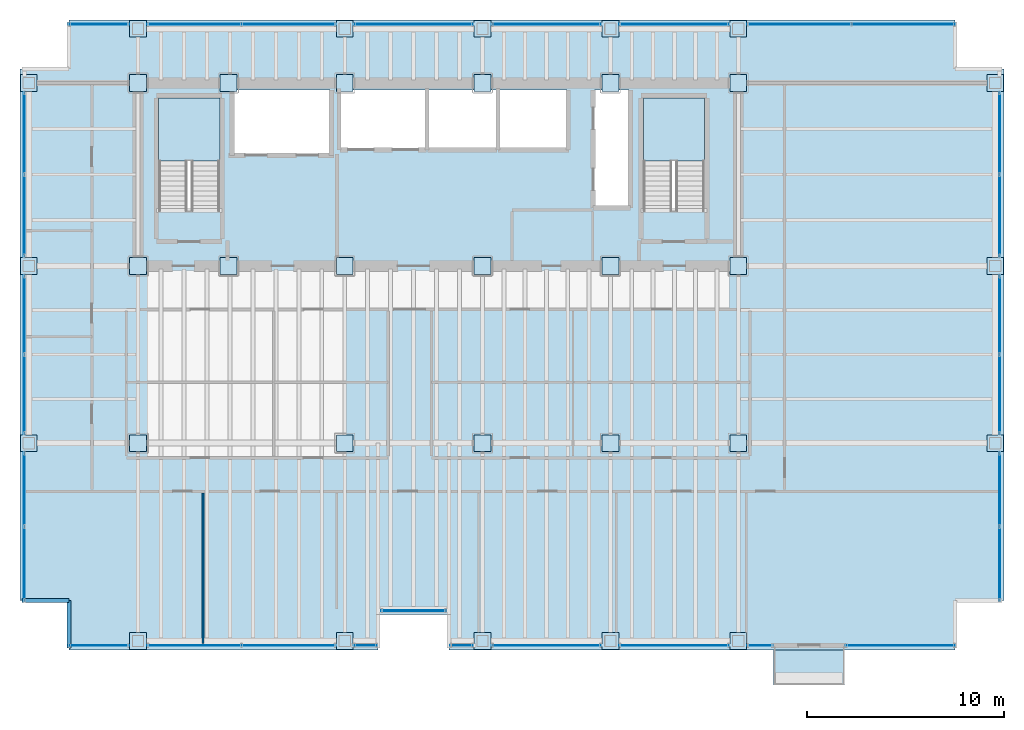
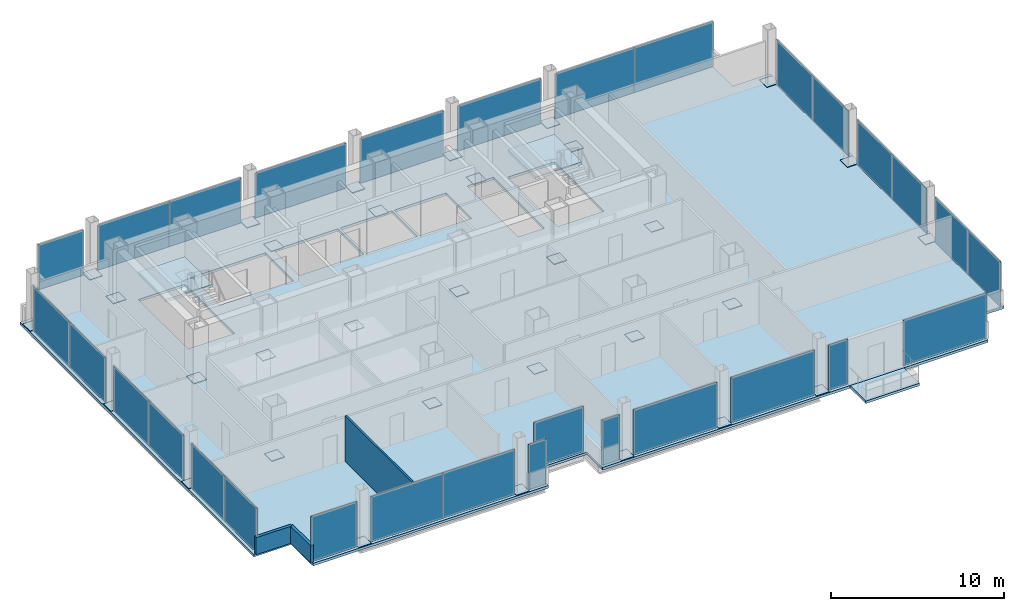
# One storey, part 17 of 22: 63 plates, 4 slabs, 3 walls, 7 openings, 23 elements without a shape of their own.
"""IFC4 building model written with IfcOpenShell, lengths in metres."""

from ifc_helpers import new_model, si_unit, direction, frame, frame_2d, origin, origin_2d, place, context, subcontext, project, spatial, polyline, rectangle, outline, extrude, material, layer, layer_set, type_object, element, aggregate, save


model = new_model("IFC4")

# Units and contexts
model_context = context("Model", 3, precision=1e-05, world=origin(), true_north=direction((0.0, 1.0)))
body_context = subcontext(model_context, "Body", "Model", "MODEL_VIEW")
ifc_project = project(units=[si_unit("LENGTHUNIT", "METRE"), si_unit("AREAUNIT", "SQUARE_METRE"), si_unit("VOLUMEUNIT", "CUBIC_METRE"), si_unit("PLANEANGLEUNIT", "RADIAN"), si_unit("MASSUNIT", "GRAM", prefix="KILO")], contexts=[model_context])

# Site, building, storey
site_placement = place(None, origin())
site = spatial("IfcSite", under=ifc_project, at=site_placement, CompositionType="ELEMENT")
building_placement = place(site_placement, origin())
building = spatial("IfcBuilding", under=site, at=building_placement, Name="Noeulbin Bourse Tower", CompositionType="ELEMENT")
storey_placement = place(building_placement, frame((0.0, 0.0, 88.89990234375)))
storey = spatial("IfcBuildingStorey", under=building, at=storey_placement, Name="L22", CompositionType="ELEMENT", Elevation=88.89990234375)

# Curtain wall, plate
ifc_material_1 = material(Name="Dark Solar-Control Double Glazing", Category="glass")
curtain_wall_type = type_object("IfcCurtainWallType", Name="CW-SYS-2", PredefinedType="NOTDEFINED", material=ifc_material_1)
curtain_wall_1_placement = place(storey_placement, origin())
curtain_wall_1 = element("IfcCurtainWall", 1, at=curtain_wall_1_placement, inside=storey, type_object=curtain_wall_type, Name="Unitised Curtain Wall CW-L22-SREC", PredefinedType="NOTDEFINED")
ifc_layer_1 = layer(ifc_material_1, 0.035888671875)
ifc_layer_set_1 = layer_set([ifc_layer_1], Name="Dark Solar-Control Double Glazing")
plate_type_1 = type_object("IfcPlateType", Name="CW-SYS-2-PNL", PredefinedType="CURTAIN_PANEL", material=ifc_layer_set_1)
plate_1_placement = place(storey_placement, frame((27.5, 11.47998046875, 0.0), z_axis=(0.0, 0.0, 1.0), x_axis=(1.0, 0.0, 0.0)))
plate_1 = element("IfcPlate", 2, at=plate_1_placement, type_object=plate_type_1, Name="Glazed Curtain Panel CW-L22-SREC-P00", PredefinedType="CURTAIN_PANEL", context=body_context, shape_type="SweptSolid", body=[
    extrude(rectangle(XDim=3.300048828125, YDim=0.035888671875, at=origin_2d()), origin(), (0.0, 0.0, 1.0), 3.179931640625),
])
aggregate(curtain_wall_1, [plate_1])

curtain_wall_2_placement = place(storey_placement, origin())
curtain_wall_2 = element("IfcCurtainWall", 3, at=curtain_wall_2_placement, inside=storey, type_object=curtain_wall_type, Name="Unitised Curtain Wall CW-L22-S1-S1", PredefinedType="NOTDEFINED")
plate_2_placement = place(storey_placement, frame((11.510009765625, 9.719970703125, 0.0), z_axis=(0.0, 0.0, 1.0), x_axis=(1.0, 0.0, 0.0)))
plate_2 = element("IfcPlate", 4, at=plate_2_placement, type_object=plate_type_1, Name="Glazed Curtain Panel CW-L22-S1-S1-P00", PredefinedType="CURTAIN_PANEL", context=body_context, shape_type="SweptSolid", body=[
    extrude(rectangle(XDim=3.06005859375, YDim=0.035888671875, at=origin_2d()), origin(), (0.0, 0.0, 1.0), 3.179931640625),
])
aggregate(curtain_wall_2, [plate_2])

# Curtain wall, plates
curtain_wall_3_placement = place(storey_placement, origin())
curtain_wall_3 = element("IfcCurtainWall", 5, at=curtain_wall_3_placement, inside=storey, type_object=curtain_wall_type, Name="Unitised Curtain Wall CW-L22-S1-S2", PredefinedType="NOTDEFINED")
plate_3_placement = place(storey_placement, frame((16.35498046875, 9.719970703125, 0.0), z_axis=(0.0, 0.0, 1.0), x_axis=(1.0, 0.0, 0.0)))
plate_3 = element("IfcPlate", 6, at=plate_3_placement, type_object=plate_type_1, Name="Glazed Curtain Panel CW-L22-S1-S2-P00", PredefinedType="CURTAIN_PANEL", context=body_context, shape_type="SweptSolid", body=[
    extrude(rectangle(XDim=4.7900390625, YDim=0.035888671875, at=origin_2d()), origin(), (0.0, 0.0, 1.0), 3.179931640625),
])
plate_4_placement = place(storey_placement, frame((21.14501953125, 9.719970703125, 0.0), z_axis=(0.0, 0.0, 1.0), x_axis=(1.0, 0.0, 0.0)))
plate_4 = element("IfcPlate", 7, at=plate_4_placement, type_object=plate_type_1, Name="Glazed Curtain Panel CW-L22-S1-S2-P01", PredefinedType="CURTAIN_PANEL", context=body_context, shape_type="SweptSolid", body=[
    extrude(rectangle(XDim=4.7900390625, YDim=0.035888671875, at=origin_2d()), origin(), (0.0, 0.0, 1.0), 3.179931640625),
])
aggregate(curtain_wall_3, [plate_3, plate_4])

# Curtain wall, plate
curtain_wall_4_placement = place(storey_placement, origin())
curtain_wall_4 = element("IfcCurtainWall", 8, at=curtain_wall_4_placement, inside=storey, type_object=curtain_wall_type, Name="Unitised Curtain Wall CW-L22-S1-S3", PredefinedType="NOTDEFINED")
plate_5_placement = place(storey_placement, frame((25.054931640625, 9.719970703125, 0.0), z_axis=(0.0, 0.0, 1.0), x_axis=(1.0, 0.0, 0.0)))
plate_5 = element("IfcPlate", 9, at=plate_5_placement, type_object=plate_type_1, Name="Glazed Curtain Panel CW-L22-S1-S3-P00", PredefinedType="CURTAIN_PANEL", context=body_context, shape_type="SweptSolid", body=[
    extrude(rectangle(XDim=1.18994140625, YDim=0.035888671875, at=origin_2d()), origin(), (0.0, 0.0, 1.0), 3.179931640625),
])
aggregate(curtain_wall_4, [plate_5])

curtain_wall_5_placement = place(storey_placement, origin())
curtain_wall_5 = element("IfcCurtainWall", 10, at=curtain_wall_5_placement, inside=storey, type_object=curtain_wall_type, Name="Unitised Curtain Wall CW-L22-S2-S1", PredefinedType="NOTDEFINED")
plate_6_placement = place(storey_placement, frame((29.945068359375, 9.719970703125, 0.0), z_axis=(0.0, 0.0, 1.0), x_axis=(1.0, 0.0, 0.0)))
plate_6 = element("IfcPlate", 11, at=plate_6_placement, type_object=plate_type_1, Name="Glazed Curtain Panel CW-L22-S2-S1-P00", PredefinedType="CURTAIN_PANEL", context=body_context, shape_type="SweptSolid", body=[
    extrude(rectangle(XDim=1.18994140625, YDim=0.035888671875, at=origin_2d()), origin(), (0.0, 0.0, 1.0), 3.179931640625),
])
aggregate(curtain_wall_5, [plate_6])

curtain_wall_6_placement = place(storey_placement, origin())
curtain_wall_6 = element("IfcCurtainWall", 12, at=curtain_wall_6_placement, inside=storey, type_object=curtain_wall_type, Name="Unitised Curtain Wall CW-L22-S2-S2", PredefinedType="NOTDEFINED")
plate_7_placement = place(storey_placement, frame((34.25, 9.719970703125, 0.0), z_axis=(0.0, 0.0, 1.0), x_axis=(1.0, 0.0, 0.0)))
plate_7 = element("IfcPlate", 13, at=plate_7_placement, type_object=plate_type_1, Name="Glazed Curtain Panel CW-L22-S2-S2-P00", PredefinedType="CURTAIN_PANEL", context=body_context, shape_type="SweptSolid", body=[
    extrude(rectangle(XDim=5.580078125, YDim=0.035888671875, at=origin_2d()), origin(), (0.0, 0.0, 1.0), 3.179931640625),
])
aggregate(curtain_wall_6, [plate_7])

curtain_wall_7_placement = place(storey_placement, origin())
curtain_wall_7 = element("IfcCurtainWall", 14, at=curtain_wall_7_placement, inside=storey, type_object=curtain_wall_type, Name="Unitised Curtain Wall CW-L22-S2-S3", PredefinedType="NOTDEFINED")
plate_8_placement = place(storey_placement, frame((40.75, 9.719970703125, 0.0), z_axis=(0.0, 0.0, 1.0), x_axis=(1.0, 0.0, 0.0)))
plate_8 = element("IfcPlate", 15, at=plate_8_placement, type_object=plate_type_1, Name="Glazed Curtain Panel CW-L22-S2-S3-P00", PredefinedType="CURTAIN_PANEL", context=body_context, shape_type="SweptSolid", body=[
    extrude(rectangle(XDim=5.580078125, YDim=0.035888671875, at=origin_2d()), origin(), (0.0, 0.0, 1.0), 3.179931640625),
])
aggregate(curtain_wall_7, [plate_8])

curtain_wall_8_placement = place(storey_placement, origin())
curtain_wall_8 = element("IfcCurtainWall", 16, at=curtain_wall_8_placement, inside=storey, type_object=curtain_wall_type, Name="Unitised Curtain Wall CW-L22-S2-S4", PredefinedType="NOTDEFINED")
plate_9_placement = place(storey_placement, frame((45.10498046875, 9.719970703125, 0.0), z_axis=(0.0, 0.0, 1.0), x_axis=(1.0, 0.0, 0.0)))
plate_9 = element("IfcPlate", 17, at=plate_9_placement, type_object=plate_type_1, Name="Glazed Curtain Panel CW-L22-S2-S4-P00", PredefinedType="CURTAIN_PANEL", context=body_context, shape_type="SweptSolid", body=[
    extrude(rectangle(XDim=1.2900390625, YDim=0.035888671875, at=origin_2d()), origin(), (0.0, 0.0, 1.0), 3.179931640625),
])
aggregate(curtain_wall_8, [plate_9])

curtain_wall_9_placement = place(storey_placement, origin())
curtain_wall_9 = element("IfcCurtainWall", 18, at=curtain_wall_9_placement, inside=storey, type_object=curtain_wall_type, Name="Unitised Curtain Wall CW-L22-S3", PredefinedType="NOTDEFINED")
plate_10_placement = place(storey_placement, frame((52.235107421875, 9.719970703125, 0.0), z_axis=(0.0, 0.0, 1.0), x_axis=(1.0, 0.0, 0.0)))
plate_10 = element("IfcPlate", 19, at=plate_10_placement, type_object=plate_type_1, Name="Glazed Curtain Panel CW-L22-S3-P00", PredefinedType="CURTAIN_PANEL", context=body_context, shape_type="SweptSolid", body=[
    extrude(rectangle(XDim=5.570068359375, YDim=0.035888671875, at=origin_2d()), origin(), (0.0, 0.0, 1.0), 3.179931640625),
])
aggregate(curtain_wall_9, [plate_10])

curtain_wall_10_placement = place(storey_placement, origin())
curtain_wall_10 = element("IfcCurtainWall", 20, at=curtain_wall_10_placement, inside=storey, type_object=curtain_wall_type, Name="Unitised Curtain Wall CW-L22-N-S1", PredefinedType="NOTDEFINED")
plate_11_placement = place(storey_placement, frame((11.510009765625, 41.280029296875, 0.0), z_axis=(0.0, 0.0, 1.0), x_axis=(1.0, 0.0, 0.0)))
plate_11 = element("IfcPlate", 21, at=plate_11_placement, type_object=plate_type_1, Name="Glazed Curtain Panel CW-L22-N-S1-P00", PredefinedType="CURTAIN_PANEL", context=body_context, shape_type="SweptSolid", body=[
    extrude(rectangle(XDim=3.06005859375, YDim=0.035888671875, at=origin_2d()), origin(), (0.0, 0.0, 1.0), 3.179931640625),
])
aggregate(curtain_wall_10, [plate_11])

# Curtain wall, plates
curtain_wall_11_placement = place(storey_placement, origin())
curtain_wall_11 = element("IfcCurtainWall", 22, at=curtain_wall_11_placement, inside=storey, type_object=curtain_wall_type, Name="Unitised Curtain Wall CW-L22-N-S2", PredefinedType="NOTDEFINED")
plate_12_placement = place(storey_placement, frame((16.35498046875, 41.280029296875, 0.0), z_axis=(0.0, 0.0, 1.0), x_axis=(1.0, 0.0, 0.0)))
plate_12 = element("IfcPlate", 23, at=plate_12_placement, type_object=plate_type_1, Name="Glazed Curtain Panel CW-L22-N-S2-P00", PredefinedType="CURTAIN_PANEL", context=body_context, shape_type="SweptSolid", body=[
    extrude(rectangle(XDim=4.7900390625, YDim=0.035888671875, at=origin_2d()), origin(), (0.0, 0.0, 1.0), 3.179931640625),
])
plate_13_placement = place(storey_placement, frame((21.14501953125, 41.280029296875, 0.0), z_axis=(0.0, 0.0, 1.0), x_axis=(1.0, 0.0, 0.0)))
plate_13 = element("IfcPlate", 24, at=plate_13_placement, type_object=plate_type_1, Name="Glazed Curtain Panel CW-L22-N-S2-P01", PredefinedType="CURTAIN_PANEL", context=body_context, shape_type="SweptSolid", body=[
    extrude(rectangle(XDim=4.7900390625, YDim=0.035888671875, at=origin_2d()), origin(), (0.0, 0.0, 1.0), 3.179931640625),
])
aggregate(curtain_wall_11, [plate_12, plate_13])

# Curtain wall, plate
curtain_wall_12_placement = place(storey_placement, origin())
curtain_wall_12 = element("IfcCurtainWall", 25, at=curtain_wall_12_placement, inside=storey, type_object=curtain_wall_type, Name="Unitised Curtain Wall CW-L22-N-S3", PredefinedType="NOTDEFINED")
plate_14_placement = place(storey_placement, frame((27.5, 41.280029296875, 0.0), z_axis=(0.0, 0.0, 1.0), x_axis=(1.0, 0.0, 0.0)))
plate_14 = element("IfcPlate", 26, at=plate_14_placement, type_object=plate_type_1, Name="Glazed Curtain Panel CW-L22-N-S3-P00", PredefinedType="CURTAIN_PANEL", context=body_context, shape_type="SweptSolid", body=[
    extrude(rectangle(XDim=6.080078125, YDim=0.035888671875, at=origin_2d()), origin(), (0.0, 0.0, 1.0), 3.179931640625),
])
aggregate(curtain_wall_12, [plate_14])

curtain_wall_13_placement = place(storey_placement, origin())
curtain_wall_13 = element("IfcCurtainWall", 27, at=curtain_wall_13_placement, inside=storey, type_object=curtain_wall_type, Name="Unitised Curtain Wall CW-L22-N-S4", PredefinedType="NOTDEFINED")
plate_15_placement = place(storey_placement, frame((34.25, 41.280029296875, 0.0), z_axis=(0.0, 0.0, 1.0), x_axis=(1.0, 0.0, 0.0)))
plate_15 = element("IfcPlate", 28, at=plate_15_placement, type_object=plate_type_1, Name="Glazed Curtain Panel CW-L22-N-S4-P00", PredefinedType="CURTAIN_PANEL", context=body_context, shape_type="SweptSolid", body=[
    extrude(rectangle(XDim=5.580078125, YDim=0.035888671875, at=origin_2d()), origin(), (0.0, 0.0, 1.0), 3.179931640625),
])
aggregate(curtain_wall_13, [plate_15])

curtain_wall_14_placement = place(storey_placement, origin())
curtain_wall_14 = element("IfcCurtainWall", 29, at=curtain_wall_14_placement, inside=storey, type_object=curtain_wall_type, Name="Unitised Curtain Wall CW-L22-N-S5", PredefinedType="NOTDEFINED")
plate_16_placement = place(storey_placement, frame((40.75, 41.280029296875, 0.0), z_axis=(0.0, 0.0, 1.0), x_axis=(1.0, 0.0, 0.0)))
plate_16 = element("IfcPlate", 30, at=plate_16_placement, type_object=plate_type_1, Name="Glazed Curtain Panel CW-L22-N-S5-P00", PredefinedType="CURTAIN_PANEL", context=body_context, shape_type="SweptSolid", body=[
    extrude(rectangle(XDim=5.580078125, YDim=0.035888671875, at=origin_2d()), origin(), (0.0, 0.0, 1.0), 3.179931640625),
])
aggregate(curtain_wall_14, [plate_16])

# Curtain wall, plates
curtain_wall_15_placement = place(storey_placement, origin())
curtain_wall_15 = element("IfcCurtainWall", 31, at=curtain_wall_15_placement, inside=storey, type_object=curtain_wall_type, Name="Unitised Curtain Wall CW-L22-N-S6", PredefinedType="NOTDEFINED")
plate_17_placement = place(storey_placement, frame((47.10009765625, 41.280029296875, 0.0), z_axis=(0.0, 0.0, 1.0), x_axis=(1.0, 0.0, 0.0)))
plate_17 = element("IfcPlate", 32, at=plate_17_placement, type_object=plate_type_1, Name="Glazed Curtain Panel CW-L22-N-S6-P00", PredefinedType="CURTAIN_PANEL", context=body_context, shape_type="SweptSolid", body=[
    extrude(rectangle(XDim=5.280029296875, YDim=0.035888671875, at=origin_2d()), origin(), (0.0, 0.0, 1.0), 3.179931640625),
])
plate_18_placement = place(storey_placement, frame((52.3798828125, 41.280029296875, 0.0), z_axis=(0.0, 0.0, 1.0), x_axis=(1.0, 0.0, 0.0)))
plate_18 = element("IfcPlate", 33, at=plate_18_placement, type_object=plate_type_1, Name="Glazed Curtain Panel CW-L22-N-S6-P01", PredefinedType="CURTAIN_PANEL", context=body_context, shape_type="SweptSolid", body=[
    extrude(rectangle(XDim=5.280029296875, YDim=0.035888671875, at=origin_2d()), origin(), (0.0, 0.0, 1.0), 3.179931640625),
])
aggregate(curtain_wall_15, [plate_17, plate_18])

curtain_wall_16_placement = place(storey_placement, origin())
curtain_wall_16 = element("IfcCurtainWall", 34, at=curtain_wall_16_placement, inside=storey, type_object=curtain_wall_type, Name="Unitised Curtain Wall CW-L22-W-S1", PredefinedType="NOTDEFINED")
plate_19_placement = place(storey_placement, frame((7.719970703125, 13.8701171875, 0.0), z_axis=(0.0, 0.0, 1.0), x_axis=(0.0, 1.0, 0.0)))
plate_19 = element("IfcPlate", 35, at=plate_19_placement, type_object=plate_type_1, Name="Glazed Curtain Panel CW-L22-W-S1-P00", PredefinedType="CURTAIN_PANEL", context=body_context, shape_type="SweptSolid", body=[
    extrude(rectangle(XDim=3.780029296875, YDim=0.035888671875, at=origin_2d()), origin(), (0.0, 0.0, 1.0), 3.179931640625),
])
plate_20_placement = place(storey_placement, frame((7.719970703125, 17.64990234375, 0.0), z_axis=(0.0, 0.0, 1.0), x_axis=(0.0, 1.0, 0.0)))
plate_20 = element("IfcPlate", 36, at=plate_20_placement, type_object=plate_type_1, Name="Glazed Curtain Panel CW-L22-W-S1-P01", PredefinedType="CURTAIN_PANEL", context=body_context, shape_type="SweptSolid", body=[
    extrude(rectangle(XDim=3.780029296875, YDim=0.035888671875, at=origin_2d()), origin(), (0.0, 0.0, 1.0), 3.179931640625),
])
aggregate(curtain_wall_16, [plate_19, plate_20])

curtain_wall_17_placement = place(storey_placement, origin())
curtain_wall_17 = element("IfcCurtainWall", 37, at=curtain_wall_17_placement, inside=storey, type_object=curtain_wall_type, Name="Unitised Curtain Wall CW-L22-W-S2", PredefinedType="NOTDEFINED")
plate_21_placement = place(storey_placement, frame((7.719970703125, 22.47998046875, 0.0), z_axis=(0.0, 0.0, 1.0), x_axis=(0.0, 1.0, 0.0)))
plate_21 = element("IfcPlate", 38, at=plate_21_placement, type_object=plate_type_1, Name="Glazed Curtain Panel CW-L22-W-S2-P00", PredefinedType="CURTAIN_PANEL", context=body_context, shape_type="SweptSolid", body=[
    extrude(rectangle(XDim=4.0400390625, YDim=0.035888671875, at=origin_2d()), origin(), (0.0, 0.0, 1.0), 3.179931640625),
])
plate_22_placement = place(storey_placement, frame((7.719970703125, 26.52001953125, 0.0), z_axis=(0.0, 0.0, 1.0), x_axis=(0.0, 1.0, 0.0)))
plate_22 = element("IfcPlate", 39, at=plate_22_placement, type_object=plate_type_1, Name="Glazed Curtain Panel CW-L22-W-S2-P01", PredefinedType="CURTAIN_PANEL", context=body_context, shape_type="SweptSolid", body=[
    extrude(rectangle(XDim=4.0400390625, YDim=0.035888671875, at=origin_2d()), origin(), (0.0, 0.0, 1.0), 3.179931640625),
])
aggregate(curtain_wall_17, [plate_21, plate_22])

curtain_wall_18_placement = place(storey_placement, origin())
curtain_wall_18 = element("IfcCurtainWall", 40, at=curtain_wall_18_placement, inside=storey, type_object=curtain_wall_type, Name="Unitised Curtain Wall CW-L22-W-S3", PredefinedType="NOTDEFINED")
plate_23_placement = place(storey_placement, frame((7.719970703125, 31.554931640625, 0.0), z_axis=(0.0, 0.0, 1.0), x_axis=(0.0, 1.0, 0.0)))
plate_23 = element("IfcPlate", 41, at=plate_23_placement, type_object=plate_type_1, Name="Glazed Curtain Panel CW-L22-W-S3-P00", PredefinedType="CURTAIN_PANEL", context=body_context, shape_type="SweptSolid", body=[
    extrude(rectangle(XDim=4.18994140625, YDim=0.035888671875, at=origin_2d()), origin(), (0.0, 0.0, 1.0), 3.179931640625),
])
plate_24_placement = place(storey_placement, frame((7.719970703125, 35.7451171875, 0.0), z_axis=(0.0, 0.0, 1.0), x_axis=(0.0, 1.0, 0.0)))
plate_24 = element("IfcPlate", 42, at=plate_24_placement, type_object=plate_type_1, Name="Glazed Curtain Panel CW-L22-W-S3-P01", PredefinedType="CURTAIN_PANEL", context=body_context, shape_type="SweptSolid", body=[
    extrude(rectangle(XDim=4.18994140625, YDim=0.035888671875, at=origin_2d()), origin(), (0.0, 0.0, 1.0), 3.179931640625),
])
aggregate(curtain_wall_18, [plate_23, plate_24])

curtain_wall_19_placement = place(storey_placement, origin())
curtain_wall_19 = element("IfcCurtainWall", 43, at=curtain_wall_19_placement, inside=storey, type_object=curtain_wall_type, Name="Unitised Curtain Wall CW-L22-E-S1", PredefinedType="NOTDEFINED")
plate_25_placement = place(storey_placement, frame((57.280029296875, 13.8701171875, 0.0), z_axis=(0.0, 0.0, 1.0), x_axis=(0.0, 1.0, 0.0)))
plate_25 = element("IfcPlate", 44, at=plate_25_placement, type_object=plate_type_1, Name="Glazed Curtain Panel CW-L22-E-S1-P00", PredefinedType="CURTAIN_PANEL", context=body_context, shape_type="SweptSolid", body=[
    extrude(rectangle(XDim=3.780029296875, YDim=0.035888671875, at=origin_2d()), origin(), (0.0, 0.0, 1.0), 3.179931640625),
])
plate_26_placement = place(storey_placement, frame((57.280029296875, 17.64990234375, 0.0), z_axis=(0.0, 0.0, 1.0), x_axis=(0.0, 1.0, 0.0)))
plate_26 = element("IfcPlate", 45, at=plate_26_placement, type_object=plate_type_1, Name="Glazed Curtain Panel CW-L22-E-S1-P01", PredefinedType="CURTAIN_PANEL", context=body_context, shape_type="SweptSolid", body=[
    extrude(rectangle(XDim=3.780029296875, YDim=0.035888671875, at=origin_2d()), origin(), (0.0, 0.0, 1.0), 3.179931640625),
])
aggregate(curtain_wall_19, [plate_25, plate_26])

curtain_wall_20_placement = place(storey_placement, origin())
curtain_wall_20 = element("IfcCurtainWall", 46, at=curtain_wall_20_placement, inside=storey, type_object=curtain_wall_type, Name="Unitised Curtain Wall CW-L22-E-S2", PredefinedType="NOTDEFINED")
plate_27_placement = place(storey_placement, frame((57.280029296875, 22.47998046875, 0.0), z_axis=(0.0, 0.0, 1.0), x_axis=(0.0, 1.0, 0.0)))
plate_27 = element("IfcPlate", 47, at=plate_27_placement, type_object=plate_type_1, Name="Glazed Curtain Panel CW-L22-E-S2-P00", PredefinedType="CURTAIN_PANEL", context=body_context, shape_type="SweptSolid", body=[
    extrude(rectangle(XDim=4.0400390625, YDim=0.035888671875, at=origin_2d()), origin(), (0.0, 0.0, 1.0), 3.179931640625),
])
plate_28_placement = place(storey_placement, frame((57.280029296875, 26.52001953125, 0.0), z_axis=(0.0, 0.0, 1.0), x_axis=(0.0, 1.0, 0.0)))
plate_28 = element("IfcPlate", 48, at=plate_28_placement, type_object=plate_type_1, Name="Glazed Curtain Panel CW-L22-E-S2-P01", PredefinedType="CURTAIN_PANEL", context=body_context, shape_type="SweptSolid", body=[
    extrude(rectangle(XDim=4.0400390625, YDim=0.035888671875, at=origin_2d()), origin(), (0.0, 0.0, 1.0), 3.179931640625),
])
aggregate(curtain_wall_20, [plate_27, plate_28])

curtain_wall_21_placement = place(storey_placement, origin())
curtain_wall_21 = element("IfcCurtainWall", 49, at=curtain_wall_21_placement, inside=storey, type_object=curtain_wall_type, Name="Unitised Curtain Wall CW-L22-E-S3", PredefinedType="NOTDEFINED")
plate_29_placement = place(storey_placement, frame((57.280029296875, 31.554931640625, 0.0), z_axis=(0.0, 0.0, 1.0), x_axis=(0.0, 1.0, 0.0)))
plate_29 = element("IfcPlate", 50, at=plate_29_placement, type_object=plate_type_1, Name="Glazed Curtain Panel CW-L22-E-S3-P00", PredefinedType="CURTAIN_PANEL", context=body_context, shape_type="SweptSolid", body=[
    extrude(rectangle(XDim=4.18994140625, YDim=0.035888671875, at=origin_2d()), origin(), (0.0, 0.0, 1.0), 3.179931640625),
])
plate_30_placement = place(storey_placement, frame((57.280029296875, 35.7451171875, 0.0), z_axis=(0.0, 0.0, 1.0), x_axis=(0.0, 1.0, 0.0)))
plate_30 = element("IfcPlate", 51, at=plate_30_placement, type_object=plate_type_1, Name="Glazed Curtain Panel CW-L22-E-S3-P01", PredefinedType="CURTAIN_PANEL", context=body_context, shape_type="SweptSolid", body=[
    extrude(rectangle(XDim=4.18994140625, YDim=0.035888671875, at=origin_2d()), origin(), (0.0, 0.0, 1.0), 3.179931640625),
])
aggregate(curtain_wall_21, [plate_29, plate_30])

# Plates
ifc_material_2 = material(Name="Steel S355", Category="steel")
ifc_layer_2 = layer(ifc_material_2, 0.030029296875)
ifc_layer_set_2 = layer_set([ifc_layer_2], Name="Steel S355")
plate_type_2 = type_object("IfcPlateType", Name="PLT-BN1", PredefinedType="USERDEFINED", material=ifc_layer_set_2)
for number, where, z_axis, x_axis, name in (
    (52, (13.5, 29.0, 0.0048828125), (0.0, 0.0, 1.0), (1.0, 0.0, 0.0), "Mega-Column Splice Plate BN1-L22-01"),
    (53, (13.5, 38.300048828125, 0.0048828125), (0.0, 0.0, 1.0), (1.0, 0.0, 0.0), "Mega-Column Splice Plate BN1-L22-02"),
    (54, (18.10009765625, 29.0, 0.0048828125), (0.0, 0.0, 1.0), (1.0, 0.0, 0.0), "Mega-Column Splice Plate BN1-L22-03"),
    (55, (18.10009765625, 38.300048828125, 0.0048828125), (0.0, 0.0, 1.0), (1.0, 0.0, 0.0), "Mega-Column Splice Plate BN1-L22-04"),
    (56, (24.0, 29.0, 0.0048828125), (0.0, 0.0, 1.0), (1.0, 0.0, 0.0), "Mega-Column Splice Plate BN1-L22-05"),
    (57, (24.0, 38.300048828125, 0.0048828125), (0.0, 0.0, 1.0), (1.0, 0.0, 0.0), "Mega-Column Splice Plate BN1-L22-06"),
    (58, (31.0, 29.0, 0.0048828125), (0.0, 0.0, 1.0), (1.0, 0.0, 0.0), "Mega-Column Splice Plate BN1-L22-07"),
    (59, (31.0, 38.300048828125, 0.0048828125), (0.0, 0.0, 1.0), (1.0, 0.0, 0.0), "Mega-Column Splice Plate BN1-L22-08"),
    (60, (37.5, 29.0, 0.0048828125), (0.0, 0.0, 1.0), (1.0, 0.0, 0.0), "Mega-Column Splice Plate BN1-L22-09"),
    (61, (37.5, 38.300048828125, 0.0048828125), (0.0, 0.0, 1.0), (1.0, 0.0, 0.0), "Mega-Column Splice Plate BN1-L22-10"),
    (62, (44.0, 29.0, 0.0048828125), (0.0, 0.0, 1.0), (1.0, 0.0, 0.0), "Mega-Column Splice Plate BN1-L22-11"),
    (63, (44.0, 38.300048828125, 0.0048828125), (0.0, 0.0, 1.0), (1.0, 0.0, 0.0), "Mega-Column Splice Plate BN1-L22-12"),
    (64, (13.5, 20.0, 0.0048828125), (0.0, 0.0, 1.0), (1.0, 0.0, 0.0), "Mega-Column Splice Plate BN1-L22-13"),
    (65, (24.0, 20.0, 0.0048828125), (0.0, 0.0, 1.0), (1.0, 0.0, 0.0), "Mega-Column Splice Plate BN1-L22-14"),
    (66, (31.0, 20.0, 0.0048828125), (0.0, 0.0, 1.0), (1.0, 0.0, 0.0), "Mega-Column Splice Plate BN1-L22-15"),
    (67, (37.5, 20.0, 0.0048828125), (0.0, 0.0, 1.0), (1.0, 0.0, 0.0), "Mega-Column Splice Plate BN1-L22-16"),
    (68, (44.0, 20.0, 0.0048828125), (0.0, 0.0, 1.0), (1.0, 0.0, 0.0), "Mega-Column Splice Plate BN1-L22-17"),
    (69, (7.949951171875, 20.0, 0.0048828125), (0.0, 0.0, 1.0), (1.0, 0.0, 0.0), "Perimeter Column Splice Plate BN1-L22-01"),
    (70, (7.949951171875, 29.0, 0.0048828125), (0.0, 0.0, 1.0), (1.0, 0.0, 0.0), "Perimeter Column Splice Plate BN1-L22-02"),
    (71, (7.949951171875, 38.300048828125, 0.0048828125), (0.0, 0.0, 1.0), (1.0, 0.0, 0.0), "Perimeter Column Splice Plate BN1-L22-03"),
    (72, (13.5, 9.949951171875, 0.0048828125), (0.0, 0.0, 1.0), (1.0, 0.0, 0.0), "Perimeter Column Splice Plate BN1-L22-04"),
    (73, (13.5, 41.050048828125, 0.0048828125), (0.0, 0.0, 1.0), (1.0, 0.0, 0.0), "Perimeter Column Splice Plate BN1-L22-05"),
    (74, (24.0, 9.949951171875, 0.0048828125), (0.0, 0.0, 1.0), (1.0, 0.0, 0.0), "Perimeter Column Splice Plate BN1-L22-06"),
    (75, (24.0, 41.050048828125, 0.0048828125), (0.0, 0.0, 1.0), (1.0, 0.0, 0.0), "Perimeter Column Splice Plate BN1-L22-07"),
    (76, (31.0, 9.949951171875, 0.0048828125), (0.0, 0.0, 1.0), (1.0, 0.0, 0.0), "Perimeter Column Splice Plate BN1-L22-08"),
    (77, (31.0, 41.050048828125, 0.0048828125), (0.0, 0.0, 1.0), (1.0, 0.0, 0.0), "Perimeter Column Splice Plate BN1-L22-09"),
    (78, (37.5, 9.949951171875, 0.0048828125), (0.0, 0.0, 1.0), (1.0, 0.0, 0.0), "Perimeter Column Splice Plate BN1-L22-10"),
    (79, (37.5, 41.050048828125, 0.0048828125), (0.0, 0.0, 1.0), (1.0, 0.0, 0.0), "Perimeter Column Splice Plate BN1-L22-11"),
    (80, (44.0, 9.949951171875, 0.0048828125), (0.0, 0.0, 1.0), (1.0, 0.0, 0.0), "Perimeter Column Splice Plate BN1-L22-12"),
    (81, (44.0, 41.050048828125, 0.0048828125), (0.0, 0.0, 1.0), (1.0, 0.0, 0.0), "Perimeter Column Splice Plate BN1-L22-13"),
    (82, (57.050048828125, 20.0, 0.0048828125), (0.0, 0.0, 1.0), (1.0, 0.0, 0.0), "Perimeter Column Splice Plate BN1-L22-14"),
    (83, (57.050048828125, 29.0, 0.0048828125), (0.0, 0.0, 1.0), (1.0, 0.0, 0.0), "Perimeter Column Splice Plate BN1-L22-15"),
    (84, (57.050048828125, 38.300048828125, 0.0048828125), (0.0, 0.0, 1.0), (1.0, 0.0, 0.0), "Perimeter Column Splice Plate BN1-L22-16"),
):
    element("IfcPlate", number, at=place(storey_placement, frame(where, z_axis=z_axis, x_axis=x_axis)), inside=storey, type_object=plate_type_2, Name=name, ObjectType="SPLICE PLATE", PredefinedType="USERDEFINED", context=body_context, shape_type="SweptSolid", body=[
        extrude(rectangle(XDim=0.85009765625, YDim=0.85009765625, at=origin_2d()), origin(), (0.0, 0.0, 1.0), 0.030029296875),
    ])

# Stair, slab
ifc_material_3 = material(Name="Concrete C40/50", Category="concrete")
stair_type = type_object("IfcStairType", Name="STR-CORE-1560", PredefinedType="HALF_TURN_STAIR", material=ifc_material_3)
stair_1_placement = place(storey_placement, origin())
stair_1 = element("IfcStair", 85, at=stair_1_placement, inside=storey, type_object=stair_type, Name="L22 ST-1", PredefinedType="HALF_TURN_STAIR")
ifc_layer_3 = layer(ifc_material_3, 0.199951171875)
ifc_layer_set_3 = layer_set([ifc_layer_3], Name="Concrete C40/50")
slab_type_1 = type_object("IfcSlabType", Name="SLB-LND-200", PredefinedType="LANDING", material=ifc_layer_set_3)
slab_1_placement = place(storey_placement, frame((0.0, 0.0, 1.75)))
slab_1 = element("IfcSlab", 86, at=slab_1_placement, type_object=slab_type_1, Name="ST-1 landing 1", PredefinedType="LANDING", context=body_context, shape_type="SweptSolid", body=[
    extrude(outline(polyline([(17.64990234375, 34.330078125), (17.64990234375, 37.5439453125), (14.550048828125, 37.5439453125), (14.550048828125, 34.330078125), (17.64990234375, 34.330078125)])), origin(), (0.0, 0.0, 1.0), 0.2001953125),
])
aggregate(stair_1, [slab_1])

stair_2_placement = place(storey_placement, origin())
stair_2 = element("IfcStair", 87, at=stair_2_placement, inside=storey, type_object=stair_type, Name="L22 ST-2", PredefinedType="HALF_TURN_STAIR")
slab_2_placement = place(storey_placement, frame((0.0, 0.0, 1.75)))
slab_2 = element("IfcSlab", 88, at=slab_2_placement, type_object=slab_type_1, Name="ST-2 landing 1", PredefinedType="LANDING", context=body_context, shape_type="SweptSolid", body=[
    extrude(outline(polyline([(42.280029296875, 34.330078125), (42.280029296875, 37.5439453125), (39.179931640625, 37.5439453125), (39.179931640625, 34.330078125), (42.280029296875, 34.330078125)])), origin(), (0.0, 0.0, 1.0), 0.2001953125),
])
aggregate(stair_2, [slab_2])

# Slab, openings
ifc_layer_4 = layer(ifc_material_3, 0.179931640625)
ifc_layer_set_4 = layer_set([ifc_layer_4], Name="Concrete C40/50")
slab_type_2 = type_object("IfcSlabType", Name="SLB-TYP-180", PredefinedType="FLOOR", material=ifc_layer_set_4)
slab_3_placement = place(storey_placement, frame((0.0, 0.0, -0.179931640625)))
slab_3 = element("IfcSlab", 89, at=slab_3_placement, inside=storey, type_object=slab_type_2, Name="Tower Structural Floor Slab L22", PredefinedType="FLOOR", context=body_context, shape_type="SweptSolid", body=[
    extrude(outline(polyline([(10.0, 9.5), (25.699951171875, 9.5), (25.699951171875, 11.300048828125), (29.300048828125, 11.300048828125), (29.300048828125, 9.5), (55.0, 9.5), (55.0, 12.0), (57.5, 12.0), (57.5, 39.0), (55.0, 39.0), (55.0, 41.5), (10.0, 41.5), (10.0, 39.0), (7.5, 39.0), (7.5, 12.0), (10.0, 12.0), (10.0, 9.5)]), holes=[polyline([(17.64990234375, 31.81005859375), (17.64990234375, 37.5439453125), (14.550048828125, 37.5439453125), (14.550048828125, 31.81005859375), (17.64990234375, 31.81005859375)]), polyline([(42.280029296875, 31.81005859375), (42.280029296875, 37.5439453125), (39.179931640625, 37.5439453125), (39.179931640625, 31.81005859375), (42.280029296875, 31.81005859375)]), polyline([(18.35009765625, 34.699951171875), (23.25, 34.699951171875), (23.25, 37.949951171875), (18.35009765625, 37.949951171875), (18.35009765625, 34.699951171875)]), polyline([(36.699951171875, 32.050048828125), (38.449951171875, 32.050048828125), (38.449951171875, 37.949951171875), (36.699951171875, 37.949951171875), (36.699951171875, 32.050048828125)]), polyline([(23.800048828125, 35.0), (28.10009765625, 35.0), (28.10009765625, 37.949951171875), (23.800048828125, 37.949951171875), (23.800048828125, 35.0)]), polyline([(28.25, 35.0), (31.699951171875, 35.0), (31.699951171875, 37.949951171875), (28.25, 37.949951171875), (28.25, 35.0)]), polyline([(31.85009765625, 35.0), (35.300048828125, 35.0), (35.300048828125, 37.949951171875), (31.85009765625, 37.949951171875), (31.85009765625, 35.0)])]), origin(), (0.0, 0.0, 1.0), 0.179931640625),
])
opening_1_placement = place(slab_3_placement, frame((0.0, 0.0, -0.010009765625)))
element("IfcOpeningElement", 90, at=opening_1_placement, cuts=slab_3, Name="Slab Shaft Opening SLB-L22-TWR-1", PredefinedType="OPENING", context=body_context, shape_type="SweptSolid", body=[
    extrude(outline(polyline([(17.64990234375, 31.81005859375), (17.64990234375, 37.5439453125), (14.550048828125, 37.5439453125), (14.550048828125, 31.81005859375), (17.64990234375, 31.81005859375)])), origin(), (0.0, 0.0, 1.0), 0.199951171875),
])
opening_2_placement = place(slab_3_placement, frame((0.0, 0.0, -0.010009765625)))
element("IfcOpeningElement", 91, at=opening_2_placement, cuts=slab_3, Name="Slab Shaft Opening SLB-L22-TWR-2", PredefinedType="OPENING", context=body_context, shape_type="SweptSolid", body=[
    extrude(outline(polyline([(42.280029296875, 31.81005859375), (42.280029296875, 37.5439453125), (39.179931640625, 37.5439453125), (39.179931640625, 31.81005859375), (42.280029296875, 31.81005859375)])), origin(), (0.0, 0.0, 1.0), 0.199951171875),
])
opening_3_placement = place(slab_3_placement, frame((0.0, 0.0, -0.010009765625)))
element("IfcOpeningElement", 92, at=opening_3_placement, cuts=slab_3, Name="Slab Shaft Opening SLB-L22-TWR-3", PredefinedType="OPENING", context=body_context, shape_type="SweptSolid", body=[
    extrude(outline(polyline([(18.35009765625, 34.699951171875), (23.25, 34.699951171875), (23.25, 37.949951171875), (18.35009765625, 37.949951171875), (18.35009765625, 34.699951171875)])), origin(), (0.0, 0.0, 1.0), 0.199951171875),
])
opening_4_placement = place(slab_3_placement, frame((0.0, 0.0, -0.010009765625)))
element("IfcOpeningElement", 93, at=opening_4_placement, cuts=slab_3, Name="Slab Shaft Opening SLB-L22-TWR-4", PredefinedType="OPENING", context=body_context, shape_type="SweptSolid", body=[
    extrude(outline(polyline([(36.699951171875, 32.050048828125), (38.449951171875, 32.050048828125), (38.449951171875, 37.949951171875), (36.699951171875, 37.949951171875), (36.699951171875, 32.050048828125)])), origin(), (0.0, 0.0, 1.0), 0.199951171875),
])
opening_5_placement = place(slab_3_placement, frame((0.0, 0.0, -0.010009765625)))
element("IfcOpeningElement", 94, at=opening_5_placement, cuts=slab_3, Name="Slab Shaft Opening SLB-L22-TWR-5", PredefinedType="OPENING", context=body_context, shape_type="SweptSolid", body=[
    extrude(outline(polyline([(23.800048828125, 35.0), (28.10009765625, 35.0), (28.10009765625, 37.949951171875), (23.800048828125, 37.949951171875), (23.800048828125, 35.0)])), origin(), (0.0, 0.0, 1.0), 0.199951171875),
])
opening_6_placement = place(slab_3_placement, frame((0.0, 0.0, -0.010009765625)))
element("IfcOpeningElement", 95, at=opening_6_placement, cuts=slab_3, Name="Slab Shaft Opening SLB-L22-TWR-6", PredefinedType="OPENING", context=body_context, shape_type="SweptSolid", body=[
    extrude(outline(polyline([(28.25, 35.0), (31.699951171875, 35.0), (31.699951171875, 37.949951171875), (28.25, 37.949951171875), (28.25, 35.0)])), origin(), (0.0, 0.0, 1.0), 0.199951171875),
])
opening_7_placement = place(slab_3_placement, frame((0.0, 0.0, -0.010009765625)))
element("IfcOpeningElement", 96, at=opening_7_placement, cuts=slab_3, Name="Slab Shaft Opening SLB-L22-TWR-7", PredefinedType="OPENING", context=body_context, shape_type="SweptSolid", body=[
    extrude(outline(polyline([(31.85009765625, 35.0), (35.300048828125, 35.0), (35.300048828125, 37.949951171875), (31.85009765625, 37.949951171875), (31.85009765625, 35.0)])), origin(), (0.0, 0.0, 1.0), 0.199951171875),
])

# Slab
slab_4_placement = place(storey_placement, frame((0.0, 0.0, -0.179931640625)))
element("IfcSlab", 97, at=slab_4_placement, inside=storey, type_object=slab_type_2, Name="Cantilevered Tree-Balcony Slab L22", PredefinedType="FLOOR", context=body_context, shape_type="SweptSolid", body=[
    extrude(outline(polyline([(45.800048828125, 7.699951171875), (49.39990234375, 7.699951171875), (49.39990234375, 9.5), (45.800048828125, 9.5), (45.800048828125, 7.699951171875)])), origin(), (0.0, 0.0, 1.0), 0.179931640625),
])

# Walls
ifc_layer_5 = layer(ifc_material_3, 0.199951171875)
ifc_layer_set_5 = layer_set([ifc_layer_5], Name="Concrete C40/50")
wall_type_1 = type_object("IfcWallType", Name="WAL-PAR-200", PredefinedType="PARAPET", material=ifc_layer_set_5)
for number, where, z_axis, x_axis, name in (
    (98, (7.60009765625, 12.0, 0.0), (0.0, 0.0, 1.0), (1.0, 0.0, 0.0), "Corner Notch Parapet L22-SW1"),
    (99, (10.0, 12.0, 0.0), (0.0, 0.0, 1.0), (0.0, -1.0, 0.0), "Corner Notch Parapet L22-SW2"),
):
    element("IfcWall", number, at=place(storey_placement, frame(where, z_axis=z_axis, x_axis=x_axis)), inside=storey, type_object=wall_type_1, Name=name, PredefinedType="PARAPET", context=body_context, shape_type="SweptSolid", body=[
        extrude(rectangle(XDim=2.39990234375, YDim=0.199951171875, at=frame_2d((1.199951171875, 0.0))), origin(), (0.0, 0.0, 1.0), 1.2001953125),
    ])
ifc_material_4 = material(Name="Steel Stud Gypsum Partition", Category="steel")
ifc_layer_6 = layer(ifc_material_4, 0.1201171875)
ifc_layer_set_6 = layer_set([ifc_layer_6], Name="Steel Stud Gypsum Partition")
wall_type_2 = type_object("IfcWallType", Name="WAL-PRT-120", PredefinedType="PARTITIONING", material=ifc_layer_set_6)
wall_placement = place(storey_placement, frame((16.800048828125, 9.81005859375, 0.0), z_axis=(0.0, 0.0, 1.0), x_axis=(0.0, 1.0, 0.0)))
element("IfcWall", 100, at=wall_placement, inside=storey, type_object=wall_type_2, Name="Interior Partition Wall L22-26", PredefinedType="PARTITIONING", context=body_context, shape_type="SweptSolid", body=[
    extrude(rectangle(XDim=7.655029296875, YDim=0.1201171875, at=frame_2d((3.82763671875, 0.0))), origin(), (0.0, 0.0, 1.0), 3.212158203125),
])

save(model, "model.ifc")
